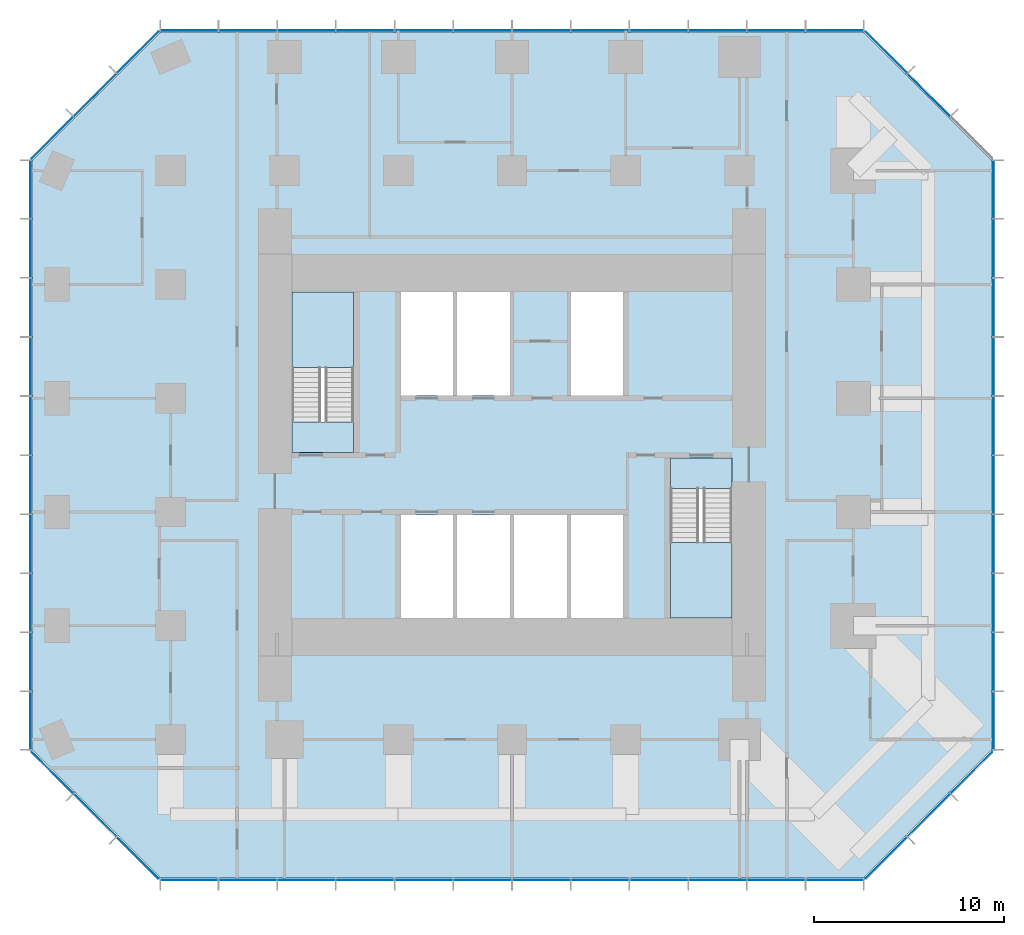
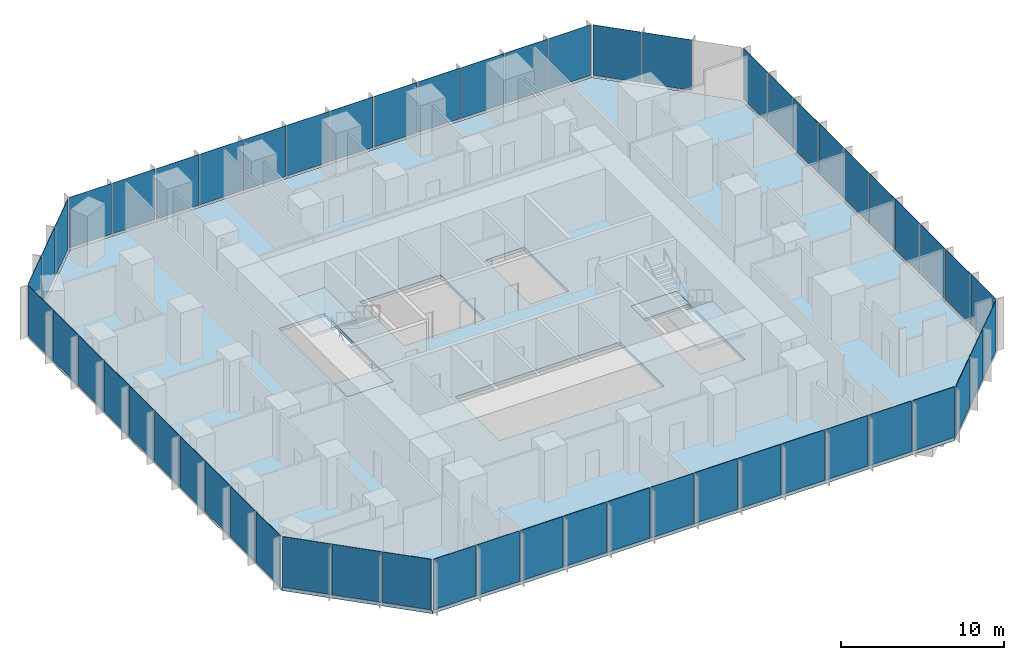
# One storey, part 7 of 12: 55 plates, 5 slabs, 10 elements without a shape of their own.
"""IFC4 building model written with IfcOpenShell, lengths in metres."""

from ifc_helpers import new_model, si_unit, direction, frame, origin, origin_2d, place, context, subcontext, project, spatial, polyline, rectangle, outline, extrude, material, layer, layer_set, type_object, element, aggregate, save


model = new_model("IFC4")

# Units and contexts
model_context = context("Model", 3, precision=1e-05, world=origin(), true_north=direction((0.0, 1.0)))
body_context = subcontext(model_context, "Body", "Model", "MODEL_VIEW")
ifc_project = project(units=[si_unit("LENGTHUNIT", "METRE"), si_unit("AREAUNIT", "SQUARE_METRE"), si_unit("VOLUMEUNIT", "CUBIC_METRE"), si_unit("PLANEANGLEUNIT", "RADIAN"), si_unit("MASSUNIT", "GRAM", prefix="KILO")], contexts=[model_context])

# Site, building, storey
site_placement = place(None, origin())
site = spatial("IfcSite", under=ifc_project, at=site_placement, CompositionType="ELEMENT")
building_placement = place(site_placement, origin())
building = spatial("IfcBuilding", under=site, at=building_placement, Name="Highveld Stack Headquarters", CompositionType="ELEMENT")
storey_placement = place(building_placement, frame((0.0, 0.0, 156.199951171875)))
storey = spatial("IfcBuildingStorey", under=building, at=storey_placement, Name="L38", CompositionType="ELEMENT", Elevation=156.199951171875)

# Curtain wall, plates
ifc_material_1 = material(Name="Aluminium bronze anodised", Category="aluminium")
ifc_layer_1 = layer(ifc_material_1, 0.199951171875)
ifc_layer_set_1 = layer_set([ifc_layer_1], Name="Aluminium bronze anodised")
curtain_wall_type_1 = type_object("IfcCurtainWallType", Name="CW1 TOWER UNITISED CURTAIN WALL", PredefinedType="NOTDEFINED", material=ifc_layer_set_1)
curtain_wall_1_placement = place(storey_placement, origin())
curtain_wall_1 = element("IfcCurtainWall", 1, at=curtain_wall_1_placement, inside=storey, type_object=curtain_wall_type_1, Name="Curtain wall CW1 L38 S", PredefinedType="NOTDEFINED")
ifc_material_2 = material(Name="Glass bronze tinted double glazed unit", Category="glass")
ifc_layer_2 = layer(ifc_material_2, 0.028076171875)
ifc_layer_set_2 = layer_set([ifc_layer_2], Name="Glass bronze tinted double glazed unit")
plate_type_1 = type_object("IfcPlateType", Name="CW1 PANEL BRONZE TINTED DOUBLE GLAZED UNIT", PredefinedType="CURTAIN_PANEL", material=ifc_layer_set_2)
plate_1_placement = place(storey_placement, frame((-11.015380859375, -19.39990234375, 0.10009765625), z_axis=(0.0, 0.0, 1.0), x_axis=(1.0, 0.0, 0.0)))
plate_1 = element("IfcPlate", 2, at=plate_1_placement, type_object=plate_type_1, Name="CW1 panel L38 1.1", PredefinedType="CURTAIN_PANEL", context=body_context, shape_type="SweptSolid", body=[
    extrude(rectangle(XDim=2.9990234375, YDim=0.028076171875, at=origin_2d()), origin(), (0.0, 0.0, 1.0), 3.800048828125),
])
plate_2_placement = place(storey_placement, frame((-7.934814453125, -19.39990234375, 0.10009765625), z_axis=(0.0, 0.0, 1.0), x_axis=(1.0, 0.0, 0.0)))
plate_2 = element("IfcPlate", 3, at=plate_2_placement, type_object=plate_type_1, Name="CW1 panel L38 2.1", PredefinedType="CURTAIN_PANEL", context=body_context, shape_type="SweptSolid", body=[
    extrude(rectangle(XDim=3.031494140625, YDim=0.028076171875, at=origin_2d()), origin(), (0.0, 0.0, 1.0), 3.800048828125),
])
plate_3_placement = place(storey_placement, frame((-4.83837890625, -19.39990234375, 0.10009765625), z_axis=(0.0, 0.0, 1.0), x_axis=(1.0, 0.0, 0.0)))
plate_3 = element("IfcPlate", 4, at=plate_3_placement, type_object=plate_type_1, Name="CW1 panel L38 3.1", PredefinedType="CURTAIN_PANEL", context=body_context, shape_type="SweptSolid", body=[
    extrude(rectangle(XDim=3.031494140625, YDim=0.028076171875, at=origin_2d()), origin(), (0.0, 0.0, 1.0), 3.800048828125),
])
plate_4_placement = place(storey_placement, frame((-1.74169921875, -19.39990234375, 0.10009765625), z_axis=(0.0, 0.0, 1.0), x_axis=(1.0, 0.0, 0.0)))
plate_4 = element("IfcPlate", 5, at=plate_4_placement, type_object=plate_type_1, Name="CW1 panel L38 4.1", PredefinedType="CURTAIN_PANEL", context=body_context, shape_type="SweptSolid", body=[
    extrude(rectangle(XDim=3.031494140625, YDim=0.028076171875, at=origin_2d()), origin(), (0.0, 0.0, 1.0), 3.800048828125),
])
plate_5_placement = place(storey_placement, frame((1.35498046875, -19.39990234375, 0.10009765625), z_axis=(0.0, 0.0, 1.0), x_axis=(1.0, 0.0, 0.0)))
plate_5 = element("IfcPlate", 6, at=plate_5_placement, type_object=plate_type_1, Name="CW1 panel L38 5.1", PredefinedType="CURTAIN_PANEL", context=body_context, shape_type="SweptSolid", body=[
    extrude(rectangle(XDim=3.031494140625, YDim=0.028076171875, at=origin_2d()), origin(), (0.0, 0.0, 1.0), 3.800048828125),
])
plate_6_placement = place(storey_placement, frame((4.45166015625, -19.39990234375, 0.10009765625), z_axis=(0.0, 0.0, 1.0), x_axis=(1.0, 0.0, 0.0)))
plate_6 = element("IfcPlate", 7, at=plate_6_placement, type_object=plate_type_1, Name="CW1 panel L38 6.1", PredefinedType="CURTAIN_PANEL", context=body_context, shape_type="SweptSolid", body=[
    extrude(rectangle(XDim=3.031494140625, YDim=0.028076171875, at=origin_2d()), origin(), (0.0, 0.0, 1.0), 3.800048828125),
])
plate_7_placement = place(storey_placement, frame((7.54833984375, -19.39990234375, 0.10009765625), z_axis=(0.0, 0.0, 1.0), x_axis=(1.0, 0.0, 0.0)))
plate_7 = element("IfcPlate", 8, at=plate_7_placement, type_object=plate_type_1, Name="CW1 panel L38 7.1", PredefinedType="CURTAIN_PANEL", context=body_context, shape_type="SweptSolid", body=[
    extrude(rectangle(XDim=3.03173828125, YDim=0.028076171875, at=origin_2d()), origin(), (0.0, 0.0, 1.0), 3.800048828125),
])
plate_8_placement = place(storey_placement, frame((10.64501953125, -19.39990234375, 0.10009765625), z_axis=(0.0, 0.0, 1.0), x_axis=(1.0, 0.0, 0.0)))
plate_8 = element("IfcPlate", 9, at=plate_8_placement, type_object=plate_type_1, Name="CW1 panel L38 8.1", PredefinedType="CURTAIN_PANEL", context=body_context, shape_type="SweptSolid", body=[
    extrude(rectangle(XDim=3.03173828125, YDim=0.028076171875, at=origin_2d()), origin(), (0.0, 0.0, 1.0), 3.800048828125),
])
plate_9_placement = place(storey_placement, frame((13.74169921875, -19.39990234375, 0.10009765625), z_axis=(0.0, 0.0, 1.0), x_axis=(1.0, 0.0, 0.0)))
plate_9 = element("IfcPlate", 10, at=plate_9_placement, type_object=plate_type_1, Name="CW1 panel L38 9.1", PredefinedType="CURTAIN_PANEL", context=body_context, shape_type="SweptSolid", body=[
    extrude(rectangle(XDim=3.03173828125, YDim=0.028076171875, at=origin_2d()), origin(), (0.0, 0.0, 1.0), 3.800048828125),
])
plate_10_placement = place(storey_placement, frame((16.83837890625, -19.39990234375, 0.10009765625), z_axis=(0.0, 0.0, 1.0), x_axis=(1.0, 0.0, 0.0)))
plate_10 = element("IfcPlate", 11, at=plate_10_placement, type_object=plate_type_1, Name="CW1 panel L38 10.1", PredefinedType="CURTAIN_PANEL", context=body_context, shape_type="SweptSolid", body=[
    extrude(rectangle(XDim=3.03173828125, YDim=0.028076171875, at=origin_2d()), origin(), (0.0, 0.0, 1.0), 3.800048828125),
])
plate_11_placement = place(storey_placement, frame((19.934814453125, -19.39990234375, 0.10009765625), z_axis=(0.0, 0.0, 1.0), x_axis=(1.0, 0.0, 0.0)))
plate_11 = element("IfcPlate", 12, at=plate_11_placement, type_object=plate_type_1, Name="CW1 panel L38 11.1", PredefinedType="CURTAIN_PANEL", context=body_context, shape_type="SweptSolid", body=[
    extrude(rectangle(XDim=3.03173828125, YDim=0.028076171875, at=origin_2d()), origin(), (0.0, 0.0, 1.0), 3.800048828125),
])
plate_12_placement = place(storey_placement, frame((23.015380859375, -19.39990234375, 0.10009765625), z_axis=(0.0, 0.0, 1.0), x_axis=(1.0, 0.0, 0.0)))
plate_12 = element("IfcPlate", 13, at=plate_12_placement, type_object=plate_type_1, Name="CW1 panel L38 12.1", PredefinedType="CURTAIN_PANEL", context=body_context, shape_type="SweptSolid", body=[
    extrude(rectangle(XDim=2.999267578125, YDim=0.028076171875, at=origin_2d()), origin(), (0.0, 0.0, 1.0), 3.800048828125),
])
aggregate(curtain_wall_1, [plate_1, plate_2, plate_3, plate_4, plate_5, plate_6, plate_7, plate_8, plate_9, plate_10, plate_11, plate_12])

curtain_wall_2_placement = place(storey_placement, origin())
curtain_wall_2 = element("IfcCurtainWall", 14, at=curtain_wall_2_placement, inside=storey, type_object=curtain_wall_type_1, Name="Curtain wall CW1 L38 E", PredefinedType="NOTDEFINED")
plate_13_placement = place(storey_placement, frame((31.39990234375, -11.005615234375, 0.10009765625), z_axis=(0.0, 0.0, 1.0), x_axis=(0.0, 1.0, 0.0)))
plate_13 = element("IfcPlate", 15, at=plate_13_placement, type_object=plate_type_1, Name="CW1 panel L38 1.1", PredefinedType="CURTAIN_PANEL", context=body_context, shape_type="SweptSolid", body=[
    extrude(rectangle(XDim=3.0185546875, YDim=0.028076171875, at=origin_2d()), origin(), (0.0, 0.0, 1.0), 3.800048828125),
])
plate_14_placement = place(storey_placement, frame((31.39990234375, -7.906005859375, 0.10009765625), z_axis=(0.0, 0.0, 1.0), x_axis=(0.0, 1.0, 0.0)))
plate_14 = element("IfcPlate", 16, at=plate_14_placement, type_object=plate_type_1, Name="CW1 panel L38 2.1", PredefinedType="CURTAIN_PANEL", context=body_context, shape_type="SweptSolid", body=[
    extrude(rectangle(XDim=3.051025390625, YDim=0.028076171875, at=origin_2d()), origin(), (0.0, 0.0, 1.0), 3.800048828125),
])
plate_15_placement = place(storey_placement, frame((31.39990234375, -4.7900390625, 0.10009765625), z_axis=(0.0, 0.0, 1.0), x_axis=(0.0, 1.0, 0.0)))
plate_15 = element("IfcPlate", 17, at=plate_15_placement, type_object=plate_type_1, Name="CW1 panel L38 3.1", PredefinedType="CURTAIN_PANEL", context=body_context, shape_type="SweptSolid", body=[
    extrude(rectangle(XDim=3.051025390625, YDim=0.028076171875, at=origin_2d()), origin(), (0.0, 0.0, 1.0), 3.800048828125),
])
plate_16_placement = place(storey_placement, frame((31.39990234375, -1.674072265625, 0.10009765625), z_axis=(0.0, 0.0, 1.0), x_axis=(0.0, 1.0, 0.0)))
plate_16 = element("IfcPlate", 18, at=plate_16_placement, type_object=plate_type_1, Name="CW1 panel L38 4.1", PredefinedType="CURTAIN_PANEL", context=body_context, shape_type="SweptSolid", body=[
    extrude(rectangle(XDim=3.051025390625, YDim=0.028076171875, at=origin_2d()), origin(), (0.0, 0.0, 1.0), 3.800048828125),
])
plate_17_placement = place(storey_placement, frame((31.39990234375, 1.44189453125, 0.10009765625), z_axis=(0.0, 0.0, 1.0), x_axis=(0.0, 1.0, 0.0)))
plate_17 = element("IfcPlate", 19, at=plate_17_placement, type_object=plate_type_1, Name="CW1 panel L38 5.1", PredefinedType="CURTAIN_PANEL", context=body_context, shape_type="SweptSolid", body=[
    extrude(rectangle(XDim=3.051025390625, YDim=0.028076171875, at=origin_2d()), origin(), (0.0, 0.0, 1.0), 3.800048828125),
])
plate_18_placement = place(storey_placement, frame((31.39990234375, 4.55810546875, 0.10009765625), z_axis=(0.0, 0.0, 1.0), x_axis=(0.0, 1.0, 0.0)))
plate_18 = element("IfcPlate", 20, at=plate_18_placement, type_object=plate_type_1, Name="CW1 panel L38 6.1", PredefinedType="CURTAIN_PANEL", context=body_context, shape_type="SweptSolid", body=[
    extrude(rectangle(XDim=3.051025390625, YDim=0.028076171875, at=origin_2d()), origin(), (0.0, 0.0, 1.0), 3.800048828125),
])
plate_19_placement = place(storey_placement, frame((31.39990234375, 7.674072265625, 0.10009765625), z_axis=(0.0, 0.0, 1.0), x_axis=(0.0, 1.0, 0.0)))
plate_19 = element("IfcPlate", 21, at=plate_19_placement, type_object=plate_type_1, Name="CW1 panel L38 7.1", PredefinedType="CURTAIN_PANEL", context=body_context, shape_type="SweptSolid", body=[
    extrude(rectangle(XDim=3.051025390625, YDim=0.028076171875, at=origin_2d()), origin(), (0.0, 0.0, 1.0), 3.800048828125),
])
plate_20_placement = place(storey_placement, frame((31.39990234375, 10.789794921875, 0.10009765625), z_axis=(0.0, 0.0, 1.0), x_axis=(0.0, 1.0, 0.0)))
plate_20 = element("IfcPlate", 22, at=plate_20_placement, type_object=plate_type_1, Name="CW1 panel L38 8.1", PredefinedType="CURTAIN_PANEL", context=body_context, shape_type="SweptSolid", body=[
    extrude(rectangle(XDim=3.051025390625, YDim=0.028076171875, at=origin_2d()), origin(), (0.0, 0.0, 1.0), 3.800048828125),
])
plate_21_placement = place(storey_placement, frame((31.39990234375, 13.906005859375, 0.10009765625), z_axis=(0.0, 0.0, 1.0), x_axis=(0.0, 1.0, 0.0)))
plate_21 = element("IfcPlate", 23, at=plate_21_placement, type_object=plate_type_1, Name="CW1 panel L38 9.1", PredefinedType="CURTAIN_PANEL", context=body_context, shape_type="SweptSolid", body=[
    extrude(rectangle(XDim=3.051025390625, YDim=0.028076171875, at=origin_2d()), origin(), (0.0, 0.0, 1.0), 3.800048828125),
])
plate_22_placement = place(storey_placement, frame((31.39990234375, 17.005615234375, 0.10009765625), z_axis=(0.0, 0.0, 1.0), x_axis=(0.0, 1.0, 0.0)))
plate_22 = element("IfcPlate", 24, at=plate_22_placement, type_object=plate_type_1, Name="CW1 panel L38 10.1", PredefinedType="CURTAIN_PANEL", context=body_context, shape_type="SweptSolid", body=[
    extrude(rectangle(XDim=3.0185546875, YDim=0.028076171875, at=origin_2d()), origin(), (0.0, 0.0, 1.0), 3.800048828125),
])
aggregate(curtain_wall_2, [plate_13, plate_14, plate_15, plate_16, plate_17, plate_18, plate_19, plate_20, plate_21, plate_22])

curtain_wall_3_placement = place(storey_placement, origin())
curtain_wall_3 = element("IfcCurtainWall", 25, at=curtain_wall_3_placement, inside=storey, type_object=curtain_wall_type_1, Name="Curtain wall CW1 L38 N", PredefinedType="NOTDEFINED")
plate_23_placement = place(storey_placement, frame((23.015380859375, 25.39990234375, 0.10009765625), z_axis=(0.0, 0.0, 1.0), x_axis=(-1.0, 0.0, 0.0)))
plate_23 = element("IfcPlate", 26, at=plate_23_placement, type_object=plate_type_1, Name="CW1 panel L38 1.1", PredefinedType="CURTAIN_PANEL", context=body_context, shape_type="SweptSolid", body=[
    extrude(rectangle(XDim=2.9990234375, YDim=0.028076171875, at=origin_2d()), origin(), (0.0, 0.0, 1.0), 3.800048828125),
])
plate_24_placement = place(storey_placement, frame((19.934814453125, 25.39990234375, 0.10009765625), z_axis=(0.0, 0.0, 1.0), x_axis=(-1.0, 0.0, 0.0)))
plate_24 = element("IfcPlate", 27, at=plate_24_placement, type_object=plate_type_1, Name="CW1 panel L38 2.1", PredefinedType="CURTAIN_PANEL", context=body_context, shape_type="SweptSolid", body=[
    extrude(rectangle(XDim=3.031494140625, YDim=0.028076171875, at=origin_2d()), origin(), (0.0, 0.0, 1.0), 3.800048828125),
])
plate_25_placement = place(storey_placement, frame((16.83837890625, 25.39990234375, 0.10009765625), z_axis=(0.0, 0.0, 1.0), x_axis=(-1.0, 0.0, 0.0)))
plate_25 = element("IfcPlate", 28, at=plate_25_placement, type_object=plate_type_1, Name="CW1 panel L38 3.1", PredefinedType="CURTAIN_PANEL", context=body_context, shape_type="SweptSolid", body=[
    extrude(rectangle(XDim=3.031494140625, YDim=0.028076171875, at=origin_2d()), origin(), (0.0, 0.0, 1.0), 3.800048828125),
])
plate_26_placement = place(storey_placement, frame((13.74169921875, 25.39990234375, 0.10009765625), z_axis=(0.0, 0.0, 1.0), x_axis=(-1.0, 0.0, 0.0)))
plate_26 = element("IfcPlate", 29, at=plate_26_placement, type_object=plate_type_1, Name="CW1 panel L38 4.1", PredefinedType="CURTAIN_PANEL", context=body_context, shape_type="SweptSolid", body=[
    extrude(rectangle(XDim=3.031494140625, YDim=0.028076171875, at=origin_2d()), origin(), (0.0, 0.0, 1.0), 3.800048828125),
])
plate_27_placement = place(storey_placement, frame((10.64501953125, 25.39990234375, 0.10009765625), z_axis=(0.0, 0.0, 1.0), x_axis=(-1.0, 0.0, 0.0)))
plate_27 = element("IfcPlate", 30, at=plate_27_placement, type_object=plate_type_1, Name="CW1 panel L38 5.1", PredefinedType="CURTAIN_PANEL", context=body_context, shape_type="SweptSolid", body=[
    extrude(rectangle(XDim=3.031494140625, YDim=0.028076171875, at=origin_2d()), origin(), (0.0, 0.0, 1.0), 3.800048828125),
])
plate_28_placement = place(storey_placement, frame((7.54833984375, 25.39990234375, 0.10009765625), z_axis=(0.0, 0.0, 1.0), x_axis=(-1.0, 0.0, 0.0)))
plate_28 = element("IfcPlate", 31, at=plate_28_placement, type_object=plate_type_1, Name="CW1 panel L38 6.1", PredefinedType="CURTAIN_PANEL", context=body_context, shape_type="SweptSolid", body=[
    extrude(rectangle(XDim=3.031494140625, YDim=0.028076171875, at=origin_2d()), origin(), (0.0, 0.0, 1.0), 3.800048828125),
])
plate_29_placement = place(storey_placement, frame((4.45166015625, 25.39990234375, 0.10009765625), z_axis=(0.0, 0.0, 1.0), x_axis=(-1.0, 0.0, 0.0)))
plate_29 = element("IfcPlate", 32, at=plate_29_placement, type_object=plate_type_1, Name="CW1 panel L38 7.1", PredefinedType="CURTAIN_PANEL", context=body_context, shape_type="SweptSolid", body=[
    extrude(rectangle(XDim=3.03173828125, YDim=0.028076171875, at=origin_2d()), origin(), (0.0, 0.0, 1.0), 3.800048828125),
])
plate_30_placement = place(storey_placement, frame((1.35498046875, 25.39990234375, 0.10009765625), z_axis=(0.0, 0.0, 1.0), x_axis=(-1.0, 0.0, 0.0)))
plate_30 = element("IfcPlate", 33, at=plate_30_placement, type_object=plate_type_1, Name="CW1 panel L38 8.1", PredefinedType="CURTAIN_PANEL", context=body_context, shape_type="SweptSolid", body=[
    extrude(rectangle(XDim=3.03173828125, YDim=0.028076171875, at=origin_2d()), origin(), (0.0, 0.0, 1.0), 3.800048828125),
])
plate_31_placement = place(storey_placement, frame((-1.74169921875, 25.39990234375, 0.10009765625), z_axis=(0.0, 0.0, 1.0), x_axis=(-1.0, 0.0, 0.0)))
plate_31 = element("IfcPlate", 34, at=plate_31_placement, type_object=plate_type_1, Name="CW1 panel L38 9.1", PredefinedType="CURTAIN_PANEL", context=body_context, shape_type="SweptSolid", body=[
    extrude(rectangle(XDim=3.03173828125, YDim=0.028076171875, at=origin_2d()), origin(), (0.0, 0.0, 1.0), 3.800048828125),
])
plate_32_placement = place(storey_placement, frame((-4.83837890625, 25.39990234375, 0.10009765625), z_axis=(0.0, 0.0, 1.0), x_axis=(-1.0, 0.0, 0.0)))
plate_32 = element("IfcPlate", 35, at=plate_32_placement, type_object=plate_type_1, Name="CW1 panel L38 10.1", PredefinedType="CURTAIN_PANEL", context=body_context, shape_type="SweptSolid", body=[
    extrude(rectangle(XDim=3.03173828125, YDim=0.028076171875, at=origin_2d()), origin(), (0.0, 0.0, 1.0), 3.800048828125),
])
plate_33_placement = place(storey_placement, frame((-7.934814453125, 25.39990234375, 0.10009765625), z_axis=(0.0, 0.0, 1.0), x_axis=(-1.0, 0.0, 0.0)))
plate_33 = element("IfcPlate", 36, at=plate_33_placement, type_object=plate_type_1, Name="CW1 panel L38 11.1", PredefinedType="CURTAIN_PANEL", context=body_context, shape_type="SweptSolid", body=[
    extrude(rectangle(XDim=3.03173828125, YDim=0.028076171875, at=origin_2d()), origin(), (0.0, 0.0, 1.0), 3.800048828125),
])
plate_34_placement = place(storey_placement, frame((-11.015380859375, 25.39990234375, 0.10009765625), z_axis=(0.0, 0.0, 1.0), x_axis=(-1.0, 0.0, 0.0)))
plate_34 = element("IfcPlate", 37, at=plate_34_placement, type_object=plate_type_1, Name="CW1 panel L38 12.1", PredefinedType="CURTAIN_PANEL", context=body_context, shape_type="SweptSolid", body=[
    extrude(rectangle(XDim=2.999267578125, YDim=0.028076171875, at=origin_2d()), origin(), (0.0, 0.0, 1.0), 3.800048828125),
])
aggregate(curtain_wall_3, [plate_23, plate_24, plate_25, plate_26, plate_27, plate_28, plate_29, plate_30, plate_31, plate_32, plate_33, plate_34])

curtain_wall_4_placement = place(storey_placement, origin())
curtain_wall_4 = element("IfcCurtainWall", 38, at=curtain_wall_4_placement, inside=storey, type_object=curtain_wall_type_1, Name="Curtain wall CW1 L38 W", PredefinedType="NOTDEFINED")
plate_35_placement = place(storey_placement, frame((-19.39990234375, 17.005615234375, 0.10009765625), z_axis=(0.0, 0.0, 1.0), x_axis=(0.0, -1.0, 0.0)))
plate_35 = element("IfcPlate", 39, at=plate_35_placement, type_object=plate_type_1, Name="CW1 panel L38 1.1", PredefinedType="CURTAIN_PANEL", context=body_context, shape_type="SweptSolid", body=[
    extrude(rectangle(XDim=3.0185546875, YDim=0.028076171875, at=origin_2d()), origin(), (0.0, 0.0, 1.0), 3.800048828125),
])
plate_36_placement = place(storey_placement, frame((-19.39990234375, 13.906005859375, 0.10009765625), z_axis=(0.0, 0.0, 1.0), x_axis=(0.0, -1.0, 0.0)))
plate_36 = element("IfcPlate", 40, at=plate_36_placement, type_object=plate_type_1, Name="CW1 panel L38 2.1", PredefinedType="CURTAIN_PANEL", context=body_context, shape_type="SweptSolid", body=[
    extrude(rectangle(XDim=3.051025390625, YDim=0.028076171875, at=origin_2d()), origin(), (0.0, 0.0, 1.0), 3.800048828125),
])
plate_37_placement = place(storey_placement, frame((-19.39990234375, 10.7900390625, 0.10009765625), z_axis=(0.0, 0.0, 1.0), x_axis=(0.0, -1.0, 0.0)))
plate_37 = element("IfcPlate", 41, at=plate_37_placement, type_object=plate_type_1, Name="CW1 panel L38 3.1", PredefinedType="CURTAIN_PANEL", context=body_context, shape_type="SweptSolid", body=[
    extrude(rectangle(XDim=3.051025390625, YDim=0.028076171875, at=origin_2d()), origin(), (0.0, 0.0, 1.0), 3.800048828125),
])
plate_38_placement = place(storey_placement, frame((-19.39990234375, 7.674072265625, 0.10009765625), z_axis=(0.0, 0.0, 1.0), x_axis=(0.0, -1.0, 0.0)))
plate_38 = element("IfcPlate", 42, at=plate_38_placement, type_object=plate_type_1, Name="CW1 panel L38 4.1", PredefinedType="CURTAIN_PANEL", context=body_context, shape_type="SweptSolid", body=[
    extrude(rectangle(XDim=3.051025390625, YDim=0.028076171875, at=origin_2d()), origin(), (0.0, 0.0, 1.0), 3.800048828125),
])
plate_39_placement = place(storey_placement, frame((-19.39990234375, 4.55810546875, 0.10009765625), z_axis=(0.0, 0.0, 1.0), x_axis=(0.0, -1.0, 0.0)))
plate_39 = element("IfcPlate", 43, at=plate_39_placement, type_object=plate_type_1, Name="CW1 panel L38 5.1", PredefinedType="CURTAIN_PANEL", context=body_context, shape_type="SweptSolid", body=[
    extrude(rectangle(XDim=3.051025390625, YDim=0.028076171875, at=origin_2d()), origin(), (0.0, 0.0, 1.0), 3.800048828125),
])
plate_40_placement = place(storey_placement, frame((-19.39990234375, 1.44189453125, 0.10009765625), z_axis=(0.0, 0.0, 1.0), x_axis=(0.0, -1.0, 0.0)))
plate_40 = element("IfcPlate", 44, at=plate_40_placement, type_object=plate_type_1, Name="CW1 panel L38 6.1", PredefinedType="CURTAIN_PANEL", context=body_context, shape_type="SweptSolid", body=[
    extrude(rectangle(XDim=3.051025390625, YDim=0.028076171875, at=origin_2d()), origin(), (0.0, 0.0, 1.0), 3.800048828125),
])
plate_41_placement = place(storey_placement, frame((-19.39990234375, -1.674072265625, 0.10009765625), z_axis=(0.0, 0.0, 1.0), x_axis=(0.0, -1.0, 0.0)))
plate_41 = element("IfcPlate", 45, at=plate_41_placement, type_object=plate_type_1, Name="CW1 panel L38 7.1", PredefinedType="CURTAIN_PANEL", context=body_context, shape_type="SweptSolid", body=[
    extrude(rectangle(XDim=3.051025390625, YDim=0.028076171875, at=origin_2d()), origin(), (0.0, 0.0, 1.0), 3.800048828125),
])
plate_42_placement = place(storey_placement, frame((-19.39990234375, -4.789794921875, 0.10009765625), z_axis=(0.0, 0.0, 1.0), x_axis=(0.0, -1.0, 0.0)))
plate_42 = element("IfcPlate", 46, at=plate_42_placement, type_object=plate_type_1, Name="CW1 panel L38 8.1", PredefinedType="CURTAIN_PANEL", context=body_context, shape_type="SweptSolid", body=[
    extrude(rectangle(XDim=3.051025390625, YDim=0.028076171875, at=origin_2d()), origin(), (0.0, 0.0, 1.0), 3.800048828125),
])
plate_43_placement = place(storey_placement, frame((-19.39990234375, -7.906005859375, 0.10009765625), z_axis=(0.0, 0.0, 1.0), x_axis=(0.0, -1.0, 0.0)))
plate_43 = element("IfcPlate", 47, at=plate_43_placement, type_object=plate_type_1, Name="CW1 panel L38 9.1", PredefinedType="CURTAIN_PANEL", context=body_context, shape_type="SweptSolid", body=[
    extrude(rectangle(XDim=3.051025390625, YDim=0.028076171875, at=origin_2d()), origin(), (0.0, 0.0, 1.0), 3.800048828125),
])
plate_44_placement = place(storey_placement, frame((-19.39990234375, -11.005615234375, 0.10009765625), z_axis=(0.0, 0.0, 1.0), x_axis=(0.0, -1.0, 0.0)))
plate_44 = element("IfcPlate", 48, at=plate_44_placement, type_object=plate_type_1, Name="CW1 panel L38 10.1", PredefinedType="CURTAIN_PANEL", context=body_context, shape_type="SweptSolid", body=[
    extrude(rectangle(XDim=3.0185546875, YDim=0.028076171875, at=origin_2d()), origin(), (0.0, 0.0, 1.0), 3.800048828125),
])
aggregate(curtain_wall_4, [plate_35, plate_36, plate_37, plate_38, plate_39, plate_40, plate_41, plate_42, plate_43, plate_44])

ifc_material_3 = material(Name="Aluminium bronze anodised", Category="aluminium")
ifc_layer_3 = layer(ifc_material_3, 0.199951171875)
ifc_layer_set_3 = layer_set([ifc_layer_3], Name="Aluminium bronze anodised")
curtain_wall_type_2 = type_object("IfcCurtainWallType", Name="CW2 TOWER CHAMFER UNITISED CURTAIN WALL", PredefinedType="NOTDEFINED", material=ifc_layer_set_3)
curtain_wall_5_placement = place(storey_placement, origin())
curtain_wall_5 = element("IfcCurtainWall", 49, at=curtain_wall_5_placement, inside=storey, type_object=curtain_wall_type_2, Name="Curtain wall CW2 L38 SE", PredefinedType="NOTDEFINED")
ifc_material_4 = material(Name="Glass bronze tinted double glazed unit", Category="glass")
ifc_layer_4 = layer(ifc_material_4, 0.028076171875)
ifc_layer_set_4 = layer_set([ifc_layer_4], Name="Glass bronze tinted double glazed unit")
plate_type_2 = type_object("IfcPlateType", Name="CW2 PANEL BRONZE TINTED DOUBLE GLAZED UNIT", PredefinedType="CURTAIN_PANEL", material=ifc_layer_set_4)
plate_45_placement = place(storey_placement, frame((25.740478515625, -18.239501953125, 0.10009765625), z_axis=(0.0, 0.0, 1.0), x_axis=(0.707106781187, 0.707106781187, 0.0)))
plate_45 = element("IfcPlate", 50, at=plate_45_placement, type_object=plate_type_2, Name="CW2 panel L38 1.1", PredefinedType="CURTAIN_PANEL", context=body_context, shape_type="SweptSolid", body=[
    extrude(rectangle(XDim=3.08251953125, YDim=0.028076171875, at=origin_2d()), origin(), (0.0, 0.0, 1.0), 3.800048828125),
])
plate_46_placement = place(storey_placement, frame((27.989990234375, -15.989990234375, 0.10009765625), z_axis=(0.0, 0.0, 1.0), x_axis=(0.707106781187, 0.707106781187, 0.0)))
plate_46 = element("IfcPlate", 51, at=plate_46_placement, type_object=plate_type_2, Name="CW2 panel L38 2.1", PredefinedType="CURTAIN_PANEL", context=body_context, shape_type="SweptSolid", body=[
    extrude(rectangle(XDim=3.14990234375, YDim=0.028076171875, at=origin_2d()), origin(), (0.0, 0.0, 1.0), 3.800048828125),
])
plate_47_placement = place(storey_placement, frame((30.239501953125, -13.740478515625, 0.10009765625), z_axis=(0.0, 0.0, 1.0), x_axis=(0.707106781187, 0.707106781187, 0.0)))
plate_47 = element("IfcPlate", 52, at=plate_47_placement, type_object=plate_type_2, Name="CW2 panel L38 3.1", PredefinedType="CURTAIN_PANEL", context=body_context, shape_type="SweptSolid", body=[
    extrude(rectangle(XDim=3.08251953125, YDim=0.028076171875, at=origin_2d()), origin(), (0.0, 0.0, 1.0), 3.800048828125),
])
aggregate(curtain_wall_5, [plate_45, plate_46, plate_47])

curtain_wall_6_placement = place(storey_placement, origin())
curtain_wall_6 = element("IfcCurtainWall", 53, at=curtain_wall_6_placement, inside=storey, type_object=curtain_wall_type_2, Name="Curtain wall CW2 L38 NE", PredefinedType="NOTDEFINED")
plate_48_placement = place(storey_placement, frame((27.989990234375, 21.989990234375, 0.10009765625), z_axis=(0.0, 0.0, 1.0), x_axis=(-0.707106781187, 0.707106781187, 0.0)))
plate_48 = element("IfcPlate", 54, at=plate_48_placement, type_object=plate_type_2, Name="CW2 panel L38 2.1", PredefinedType="CURTAIN_PANEL", context=body_context, shape_type="SweptSolid", body=[
    extrude(rectangle(XDim=3.14990234375, YDim=0.028076171875, at=origin_2d()), origin(), (0.0, 0.0, 1.0), 3.800048828125),
])
plate_49_placement = place(storey_placement, frame((25.740478515625, 24.239501953125, 0.10009765625), z_axis=(0.0, 0.0, 1.0), x_axis=(-0.707106781187, 0.707106781187, 0.0)))
plate_49 = element("IfcPlate", 55, at=plate_49_placement, type_object=plate_type_2, Name="CW2 panel L38 3.1", PredefinedType="CURTAIN_PANEL", context=body_context, shape_type="SweptSolid", body=[
    extrude(rectangle(XDim=3.08251953125, YDim=0.028076171875, at=origin_2d()), origin(), (0.0, 0.0, 1.0), 3.800048828125),
])
aggregate(curtain_wall_6, [plate_48, plate_49])

curtain_wall_7_placement = place(storey_placement, origin())
curtain_wall_7 = element("IfcCurtainWall", 56, at=curtain_wall_7_placement, inside=storey, type_object=curtain_wall_type_2, Name="Curtain wall CW2 L38 NW", PredefinedType="NOTDEFINED")
plate_50_placement = place(storey_placement, frame((-13.740478515625, 24.239501953125, 0.10009765625), z_axis=(0.0, 0.0, 1.0), x_axis=(-0.707106781187, -0.707106781187, 0.0)))
plate_50 = element("IfcPlate", 57, at=plate_50_placement, type_object=plate_type_2, Name="CW2 panel L38 1.1", PredefinedType="CURTAIN_PANEL", context=body_context, shape_type="SweptSolid", body=[
    extrude(rectangle(XDim=3.08251953125, YDim=0.028076171875, at=origin_2d()), origin(), (0.0, 0.0, 1.0), 3.800048828125),
])
plate_51_placement = place(storey_placement, frame((-15.989990234375, 21.989990234375, 0.10009765625), z_axis=(0.0, 0.0, 1.0), x_axis=(-0.707106781187, -0.707106781187, 0.0)))
plate_51 = element("IfcPlate", 58, at=plate_51_placement, type_object=plate_type_2, Name="CW2 panel L38 2.1", PredefinedType="CURTAIN_PANEL", context=body_context, shape_type="SweptSolid", body=[
    extrude(rectangle(XDim=3.14990234375, YDim=0.028076171875, at=origin_2d()), origin(), (0.0, 0.0, 1.0), 3.800048828125),
])
plate_52_placement = place(storey_placement, frame((-18.239501953125, 19.740478515625, 0.10009765625), z_axis=(0.0, 0.0, 1.0), x_axis=(-0.707106781187, -0.707106781187, 0.0)))
plate_52 = element("IfcPlate", 59, at=plate_52_placement, type_object=plate_type_2, Name="CW2 panel L38 3.1", PredefinedType="CURTAIN_PANEL", context=body_context, shape_type="SweptSolid", body=[
    extrude(rectangle(XDim=3.08251953125, YDim=0.028076171875, at=origin_2d()), origin(), (0.0, 0.0, 1.0), 3.800048828125),
])
aggregate(curtain_wall_7, [plate_50, plate_51, plate_52])

curtain_wall_8_placement = place(storey_placement, origin())
curtain_wall_8 = element("IfcCurtainWall", 60, at=curtain_wall_8_placement, inside=storey, type_object=curtain_wall_type_2, Name="Curtain wall CW2 L38 SW", PredefinedType="NOTDEFINED")
plate_53_placement = place(storey_placement, frame((-18.239501953125, -13.740478515625, 0.10009765625), z_axis=(0.0, 0.0, 1.0), x_axis=(0.707106781187, -0.707106781187, 0.0)))
plate_53 = element("IfcPlate", 61, at=plate_53_placement, type_object=plate_type_2, Name="CW2 panel L38 1.1", PredefinedType="CURTAIN_PANEL", context=body_context, shape_type="SweptSolid", body=[
    extrude(rectangle(XDim=3.08251953125, YDim=0.028076171875, at=origin_2d()), origin(), (0.0, 0.0, 1.0), 3.800048828125),
])
plate_54_placement = place(storey_placement, frame((-15.989990234375, -15.989990234375, 0.10009765625), z_axis=(0.0, 0.0, 1.0), x_axis=(0.707106781187, -0.707106781187, 0.0)))
plate_54 = element("IfcPlate", 62, at=plate_54_placement, type_object=plate_type_2, Name="CW2 panel L38 2.1", PredefinedType="CURTAIN_PANEL", context=body_context, shape_type="SweptSolid", body=[
    extrude(rectangle(XDim=3.14990234375, YDim=0.028076171875, at=origin_2d()), origin(), (0.0, 0.0, 1.0), 3.800048828125),
])
plate_55_placement = place(storey_placement, frame((-13.740478515625, -18.239501953125, 0.10009765625), z_axis=(0.0, 0.0, 1.0), x_axis=(0.707106781187, -0.707106781187, 0.0)))
plate_55 = element("IfcPlate", 63, at=plate_55_placement, type_object=plate_type_2, Name="CW2 panel L38 3.1", PredefinedType="CURTAIN_PANEL", context=body_context, shape_type="SweptSolid", body=[
    extrude(rectangle(XDim=3.08251953125, YDim=0.028076171875, at=origin_2d()), origin(), (0.0, 0.0, 1.0), 3.800048828125),
])
aggregate(curtain_wall_8, [plate_53, plate_54, plate_55])

# Slab
ifc_material_5 = material(Name="Concrete C60/75", Category="concrete")
ifc_layer_5 = layer(ifc_material_5, 0.25)
ifc_layer_set_5 = layer_set([ifc_layer_5], Name="Concrete C60/75")
slab_type_1 = type_object("IfcSlabType", Name="PT FLAT SLAB 250", PredefinedType="FLOOR", material=ifc_layer_set_5)
slab_1_placement = place(storey_placement, frame((0.0, 0.0, -0.25)))
element("IfcSlab", 64, at=slab_1_placement, inside=storey, type_object=slab_type_1, Name="Floor slab L38", PredefinedType="FLOOR", context=body_context, shape_type="SweptSolid", body=[
    extrude(outline(polyline([(-12.53857421875, -19.300048828125), (24.53857421875, -19.300048828125), (31.300048828125, -12.53857421875), (31.300048828125, 18.53857421875), (24.53857421875, 25.300048828125), (-12.53857421875, 25.300048828125), (-19.300048828125, 18.53857421875), (-19.300048828125, -12.53857421875), (-12.53857421875, -19.300048828125)]), holes=[polyline([(0.14990234375, 6.14990234375), (5.89990234375, 6.14990234375), (5.89990234375, 11.60009765625), (0.14990234375, 11.60009765625), (0.14990234375, 6.14990234375)]), polyline([(9.10009765625, 6.14990234375), (11.85009765625, 6.14990234375), (11.85009765625, 11.60009765625), (9.10009765625, 11.60009765625), (9.10009765625, 6.14990234375)]), polyline([(0.14990234375, -5.60009765625), (11.85009765625, -5.60009765625), (11.85009765625, -0.14990234375), (0.14990234375, -0.14990234375), (0.14990234375, -5.60009765625)]), polyline([(-5.60009765625, 3.14990234375), (-2.35009765625, 3.14990234375), (-2.35009765625, 11.60009765625), (-5.60009765625, 11.60009765625), (-5.60009765625, 3.14990234375)]), polyline([(14.35009765625, -5.60009765625), (17.60009765625, -5.60009765625), (17.60009765625, 2.85009765625), (14.35009765625, 2.85009765625), (14.35009765625, -5.60009765625)])]), origin(), (0.0, 0.0, 1.0), 0.25),
])

# Stair, slabs
ifc_material_6 = material(Name="Concrete C40/50, precast", Category="concrete")
stair_type_1 = type_object("IfcStairType", Name="STAIR S1 HALF TURN 1500", PredefinedType="HALF_TURN_STAIR", material=ifc_material_6)
stair_1_placement = place(storey_placement, origin())
stair_1 = element("IfcStair", 65, at=stair_1_placement, inside=storey, type_object=stair_type_1, Name="Stair S1 L38", PredefinedType="HALF_TURN_STAIR")
ifc_material_7 = material(Name="Concrete C40/50, precast", Category="concrete")
ifc_layer_6 = layer(ifc_material_7, 0.199951171875)
ifc_layer_set_6 = layer_set([ifc_layer_6], Name="Concrete C40/50, precast")
slab_type_2 = type_object("IfcSlabType", Name="STAIR LANDING 200", PredefinedType="LANDING", material=ifc_layer_set_6)
slab_2_placement = place(storey_placement, frame((0.0, 0.0, 1.75)))
slab_2 = element("IfcSlab", 66, at=slab_2_placement, type_object=slab_type_2, Name="S1 landing 1", PredefinedType="LANDING", context=body_context, shape_type="SweptSolid", body=[
    extrude(outline(polyline([(-5.60009765625, 7.610107421875), (-2.35009765625, 7.610107421875), (-2.35009765625, 11.60009765625), (-5.60009765625, 11.60009765625), (-5.60009765625, 7.610107421875)])), origin(), (0.0, 0.0, 1.0), 0.199951171875),
])
slab_3_placement = place(storey_placement, frame((0.0, 0.0, -0.199951171875)))
slab_3 = element("IfcSlab", 67, at=slab_3_placement, type_object=slab_type_2, Name="S1 landing 2", PredefinedType="LANDING", context=body_context, shape_type="SweptSolid", body=[
    extrude(outline(polyline([(-5.60009765625, 3.14990234375), (-2.35009765625, 3.14990234375), (-2.35009765625, 4.75), (-5.60009765625, 4.75), (-5.60009765625, 3.14990234375)])), origin(), (0.0, 0.0, 1.0), 0.199951171875),
])
aggregate(stair_1, [slab_2, slab_3])

ifc_material_8 = material(Name="Concrete C40/50, precast", Category="concrete")
stair_type_2 = type_object("IfcStairType", Name="STAIR S2 HALF TURN 1500", PredefinedType="HALF_TURN_STAIR", material=ifc_material_8)
stair_2_placement = place(storey_placement, origin())
stair_2 = element("IfcStair", 68, at=stair_2_placement, inside=storey, type_object=stair_type_2, Name="Stair S2 L38", PredefinedType="HALF_TURN_STAIR")
slab_4_placement = place(storey_placement, frame((0.0, 0.0, 1.75)))
slab_4 = element("IfcSlab", 69, at=slab_4_placement, type_object=slab_type_2, Name="S2 landing 1", PredefinedType="LANDING", context=body_context, shape_type="SweptSolid", body=[
    extrude(outline(polyline([(14.35009765625, -5.60009765625), (17.60009765625, -5.60009765625), (17.60009765625, -1.610107421875), (14.35009765625, -1.610107421875), (14.35009765625, -5.60009765625)])), origin(), (0.0, 0.0, 1.0), 0.199951171875),
])
slab_5_placement = place(storey_placement, frame((0.0, 0.0, -0.199951171875)))
slab_5 = element("IfcSlab", 70, at=slab_5_placement, type_object=slab_type_2, Name="S2 landing 2", PredefinedType="LANDING", context=body_context, shape_type="SweptSolid", body=[
    extrude(outline(polyline([(14.35009765625, 1.25), (17.60009765625, 1.25), (17.60009765625, 2.85009765625), (14.35009765625, 2.85009765625), (14.35009765625, 1.25)])), origin(), (0.0, 0.0, 1.0), 0.199951171875),
])
aggregate(stair_2, [slab_4, slab_5])

save(model, "model.ifc")
